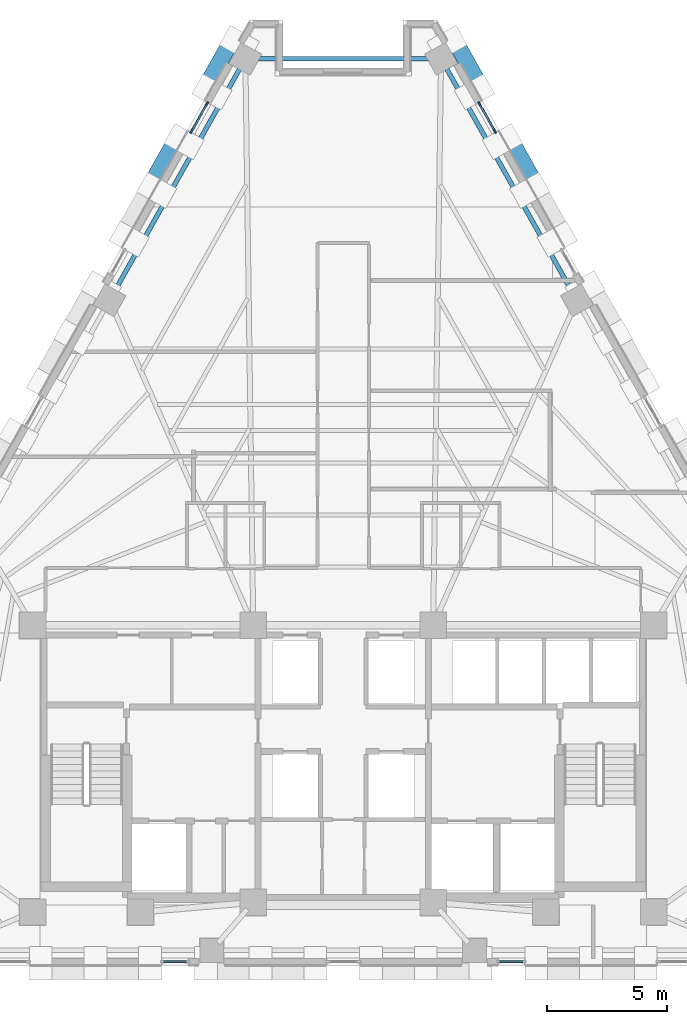
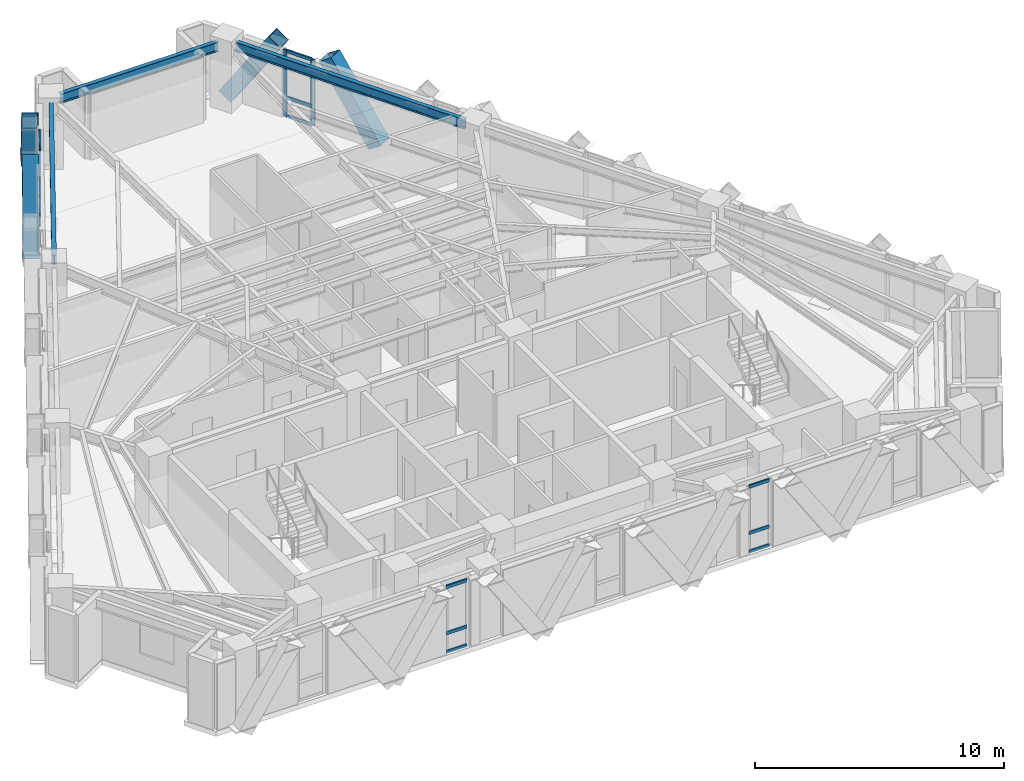
# One storey, part 5 of 14: 20 members, 3 beams, 4 elements without a shape of their own.
"""IFC4 building model written with IfcOpenShell, lengths in metres."""

from ifc_helpers import new_model, si_unit, direction, frame, origin, origin_2d, place, context, subcontext, project, spatial, rectangle, hollow_rectangle, i_section, extrude, material, material_profile, profile_set, type_object, element, aggregate, save


model = new_model("IFC4")

# Units and contexts
model_context = context("Model", 3, precision=1e-05, world=origin(), true_north=direction((0.0, 1.0)))
body_context = subcontext(model_context, "Body", "Model", "MODEL_VIEW")
ifc_project = project(units=[si_unit("LENGTHUNIT", "METRE"), si_unit("AREAUNIT", "SQUARE_METRE"), si_unit("VOLUMEUNIT", "CUBIC_METRE"), si_unit("PLANEANGLEUNIT", "RADIAN"), si_unit("MASSUNIT", "GRAM", prefix="KILO")], contexts=[model_context])

# Site, building, storey
site_placement = place(None, origin())
site = spatial("IfcSite", under=ifc_project, at=site_placement, CompositionType="ELEMENT")
building_placement = place(site_placement, origin())
building = spatial("IfcBuilding", under=site, at=building_placement, Name="Quenlor Broadcast Tower", CompositionType="ELEMENT")
storey_placement = place(building_placement, frame((0.0, 0.0, 140.5)))
storey = spatial("IfcBuildingStorey", under=building, at=storey_placement, Name="L38", CompositionType="ELEMENT", Elevation=140.5)

# Curtain wall, members
ifc_material_1 = material(Name="Architectural Terracotta and Low-E Glazing", Category="masonry")
curtain_wall_type = type_object("IfcCurtainWallType", Name="Unitised Terracotta Curtain Wall System Z3", PredefinedType="NOTDEFINED", material=ifc_material_1)
curtain_wall_1_placement = place(storey_placement, origin())
curtain_wall_1 = element("IfcCurtainWall", 1, at=curtain_wall_1_placement, inside=storey, type_object=curtain_wall_type, Name="L38 Curtain Wall CW3 (L38-NEA-G1)", PredefinedType="NOTDEFINED")
ifc_material_2 = material(Name="Aluminium 6063-T6", Category="aluminium")
ifc_material_profile_1 = material_profile(ifc_material_2, rectangle(XDim=0.070068359375, YDim=0.18994140625, at=origin_2d()))
ifc_profile_set_1 = profile_set([ifc_material_profile_1], Name="Aluminium 6063-T6 MULL70x190")
member_type_1 = type_object("IfcMemberType", Name="CW3 Aluminium Mullion MULL_CW3", PredefinedType="MULLION", material=ifc_profile_set_1)
member_1_placement = place(storey_placement, frame((5.677978515625, 16.94921875, 0.0), z_axis=(0.0, 0.0, 1.0), x_axis=(0.871592831439, 0.490230492916, 0.0)))
member_1 = element("IfcMember", 2, at=member_1_placement, type_object=member_type_1, Name="CW3 mullion 1", PredefinedType="MULLION", context=body_context, shape_type="SweptSolid", body=[
    extrude(rectangle(XDim=0.070068359375, YDim=0.18994140625, at=origin_2d()), origin(), (0.0, 0.0, 1.0), 3.25),
])
member_2_placement = place(storey_placement, frame((6.324951171875, 15.798828125, 0.0), z_axis=(0.0, 0.0, 1.0), x_axis=(0.871592831439, 0.490230492916, 0.0)))
member_2 = element("IfcMember", 3, at=member_2_placement, type_object=member_type_1, Name="CW3 mullion 2", PredefinedType="MULLION", context=body_context, shape_type="SweptSolid", body=[
    extrude(rectangle(XDim=0.070068359375, YDim=0.18994140625, at=origin_2d()), origin(), (0.0, 0.0, 1.0), 3.25),
])

curtain_wall_2_placement = place(storey_placement, origin())
curtain_wall_2 = element("IfcCurtainWall", 4, at=curtain_wall_2_placement, inside=storey, type_object=curtain_wall_type, Name="L38 Curtain Wall CW3 (L38-NWC-G2)", PredefinedType="NOTDEFINED")
member_3_placement = place(storey_placement, frame((-6.324951171875, 15.798828125, 0.0), z_axis=(0.0, 0.0, 1.0), x_axis=(-0.871592831439, 0.490230492916, 0.0)))
member_3 = element("IfcMember", 5, at=member_3_placement, type_object=member_type_1, Name="CW3 mullion 1", PredefinedType="MULLION", context=body_context, shape_type="SweptSolid", body=[
    extrude(rectangle(XDim=0.070068359375, YDim=0.18994140625, at=origin_2d()), origin(), (0.0, 0.0, 1.0), 3.25),
])
member_4_placement = place(storey_placement, frame((-5.677978515625, 16.94921875, 0.0), z_axis=(0.0, 0.0, 1.0), x_axis=(-0.871592831439, 0.490230492916, 0.0)))
member_4 = element("IfcMember", 6, at=member_4_placement, type_object=member_type_1, Name="CW3 mullion 2", PredefinedType="MULLION", context=body_context, shape_type="SweptSolid", body=[
    extrude(rectangle(XDim=0.070068359375, YDim=0.18994140625, at=origin_2d()), origin(), (0.0, 0.0, 1.0), 3.25),
])

curtain_wall_3_placement = place(storey_placement, origin())
curtain_wall_3 = element("IfcCurtainWall", 7, at=curtain_wall_3_placement, inside=storey, type_object=curtain_wall_type, Name="L38 Curtain Wall CW3 (L38-SA-G2)", PredefinedType="NOTDEFINED")
ifc_material_3 = material(Name="Aluminium 6063-T6", Category="aluminium")
ifc_material_profile_2 = material_profile(ifc_material_3, rectangle(XDim=0.070068359375, YDim=0.155029296875, at=origin_2d()))
ifc_profile_set_2 = profile_set([ifc_material_profile_2], Name="Aluminium 6063-T6 TRAN70x155")
member_type_2 = type_object("IfcMemberType", Name="CW3 Aluminium Transom TRAN_CW3", PredefinedType="USERDEFINED", material=ifc_profile_set_2)
member_5_placement = place(storey_placement, frame((7.487060546875, -18.824951171875, 0.034912109375), z_axis=(-1.0, 0.0, 0.0), x_axis=(0.0, -1.0, 0.0)))
member_5 = element("IfcMember", 8, at=member_5_placement, type_object=member_type_2, Name="CW3 transom 1.1", ObjectType="TRANSOM", PredefinedType="USERDEFINED", context=body_context, shape_type="SweptSolid", body=[
    extrude(rectangle(XDim=0.070068359375, YDim=0.155029296875, at=origin_2d()), origin(), (0.0, 0.0, 1.0), 0.951171875),
])
member_6_placement = place(storey_placement, frame((7.487060546875, -18.824951171875, 0.949951171875), z_axis=(-1.0, 0.0, 0.0), x_axis=(0.0, -1.0, 0.0)))
member_6 = element("IfcMember", 9, at=member_6_placement, type_object=member_type_2, Name="CW3 transom 1.2", ObjectType="TRANSOM", PredefinedType="USERDEFINED", context=body_context, shape_type="SweptSolid", body=[
    extrude(rectangle(XDim=0.070068359375, YDim=0.155029296875, at=origin_2d()), origin(), (0.0, 0.0, 1.0), 0.951171875),
])
member_7_placement = place(storey_placement, frame((7.487060546875, -18.824951171875, 3.215087890625), z_axis=(-1.0, 0.0, 0.0), x_axis=(0.0, -1.0, 0.0)))
member_7 = element("IfcMember", 10, at=member_7_placement, type_object=member_type_2, Name="CW3 transom 1.3", ObjectType="TRANSOM", PredefinedType="USERDEFINED", context=body_context, shape_type="SweptSolid", body=[
    extrude(rectangle(XDim=0.070068359375, YDim=0.155029296875, at=origin_2d()), origin(), (0.0, 0.0, 1.0), 0.951171875),
])
aggregate(curtain_wall_3, [member_5, member_6, member_7])

curtain_wall_4_placement = place(storey_placement, origin())
curtain_wall_4 = element("IfcCurtainWall", 11, at=curtain_wall_4_placement, inside=storey, type_object=curtain_wall_type, Name="L38 Curtain Wall CW3 (L38-SC-G1)", PredefinedType="NOTDEFINED")
member_8_placement = place(storey_placement, frame((-6.535888671875, -18.824951171875, 0.034912109375), z_axis=(-1.0, 0.0, 0.0), x_axis=(0.0, -1.0, 0.0)))
member_8 = element("IfcMember", 12, at=member_8_placement, type_object=member_type_2, Name="CW3 transom 1.1", ObjectType="TRANSOM", PredefinedType="USERDEFINED", context=body_context, shape_type="SweptSolid", body=[
    extrude(rectangle(XDim=0.070068359375, YDim=0.155029296875, at=origin_2d()), origin(), (0.0, 0.0, 1.0), 0.951171875),
])
member_9_placement = place(storey_placement, frame((-6.535888671875, -18.824951171875, 0.949951171875), z_axis=(-1.0, 0.0, 0.0), x_axis=(0.0, -1.0, 0.0)))
member_9 = element("IfcMember", 13, at=member_9_placement, type_object=member_type_2, Name="CW3 transom 1.2", ObjectType="TRANSOM", PredefinedType="USERDEFINED", context=body_context, shape_type="SweptSolid", body=[
    extrude(rectangle(XDim=0.070068359375, YDim=0.155029296875, at=origin_2d()), origin(), (0.0, 0.0, 1.0), 0.951171875),
])
member_10_placement = place(storey_placement, frame((-6.535888671875, -18.824951171875, 3.215087890625), z_axis=(-1.0, 0.0, 0.0), x_axis=(0.0, -1.0, 0.0)))
member_10 = element("IfcMember", 14, at=member_10_placement, type_object=member_type_2, Name="CW3 transom 1.3", ObjectType="TRANSOM", PredefinedType="USERDEFINED", context=body_context, shape_type="SweptSolid", body=[
    extrude(rectangle(XDim=0.070068359375, YDim=0.155029296875, at=origin_2d()), origin(), (0.0, 0.0, 1.0), 0.951171875),
])
aggregate(curtain_wall_4, [member_8, member_9, member_10])

# Member
member_11_placement = place(storey_placement, frame((5.695068359375, 16.918701171875, 0.034912109375), z_axis=(0.490131387775, -0.871648566062, 0.0), x_axis=(0.871648566062, 0.490131387775, 0.0)))
member_11 = element("IfcMember", 15, at=member_11_placement, type_object=member_type_2, Name="CW3 transom 1.1", ObjectType="TRANSOM", PredefinedType="USERDEFINED", context=body_context, shape_type="SweptSolid", body=[
    extrude(rectangle(XDim=0.070068359375, YDim=0.155029296875, at=origin_2d()), origin(), (0.0, 0.0, 1.0), 1.249755859375),
])

member_12_placement = place(storey_placement, frame((5.695068359375, 16.918701171875, 0.949951171875), z_axis=(0.490131387775, -0.871648566062, 0.0), x_axis=(0.871648566062, 0.490131387775, 0.0)))
member_12 = element("IfcMember", 16, at=member_12_placement, type_object=member_type_2, Name="CW3 transom 1.2", ObjectType="TRANSOM", PredefinedType="USERDEFINED", context=body_context, shape_type="SweptSolid", body=[
    extrude(rectangle(XDim=0.070068359375, YDim=0.155029296875, at=origin_2d()), origin(), (0.0, 0.0, 1.0), 1.249755859375),
])

member_13_placement = place(storey_placement, frame((5.695068359375, 16.918701171875, 3.215087890625), z_axis=(0.490131387775, -0.871648566062, 0.0), x_axis=(0.871648566062, 0.490131387775, 0.0)))
member_13 = element("IfcMember", 17, at=member_13_placement, type_object=member_type_2, Name="CW3 transom 1.3", ObjectType="TRANSOM", PredefinedType="USERDEFINED", context=body_context, shape_type="SweptSolid", body=[
    extrude(rectangle(XDim=0.070068359375, YDim=0.155029296875, at=origin_2d()), origin(), (0.0, 0.0, 1.0), 1.249755859375),
])

aggregate(curtain_wall_1, [member_1, member_2, member_11, member_12, member_13])

member_14_placement = place(storey_placement, frame((-6.3076171875, 15.829345703125, 0.034912109375), z_axis=(0.490131387775, 0.871648566062, 0.0), x_axis=(-0.871648566062, 0.490131387775, 0.0)))
member_14 = element("IfcMember", 18, at=member_14_placement, type_object=member_type_2, Name="CW3 transom 1.1", ObjectType="TRANSOM", PredefinedType="USERDEFINED", context=body_context, shape_type="SweptSolid", body=[
    extrude(rectangle(XDim=0.070068359375, YDim=0.155029296875, at=origin_2d()), origin(), (0.0, 0.0, 1.0), 1.249755859375),
])

member_15_placement = place(storey_placement, frame((-6.3076171875, 15.829345703125, 0.949951171875), z_axis=(0.490131387775, 0.871648566062, 0.0), x_axis=(-0.871648566062, 0.490131387775, 0.0)))
member_15 = element("IfcMember", 19, at=member_15_placement, type_object=member_type_2, Name="CW3 transom 1.2", ObjectType="TRANSOM", PredefinedType="USERDEFINED", context=body_context, shape_type="SweptSolid", body=[
    extrude(rectangle(XDim=0.070068359375, YDim=0.155029296875, at=origin_2d()), origin(), (0.0, 0.0, 1.0), 1.249755859375),
])

member_16_placement = place(storey_placement, frame((-6.3076171875, 15.829345703125, 3.215087890625), z_axis=(0.490131387775, 0.871648566062, 0.0), x_axis=(-0.871648566062, 0.490131387775, 0.0)))
member_16 = element("IfcMember", 20, at=member_16_placement, type_object=member_type_2, Name="CW3 transom 1.3", ObjectType="TRANSOM", PredefinedType="USERDEFINED", context=body_context, shape_type="SweptSolid", body=[
    extrude(rectangle(XDim=0.070068359375, YDim=0.155029296875, at=origin_2d()), origin(), (0.0, 0.0, 1.0), 1.249755859375),
])

aggregate(curtain_wall_2, [member_3, member_4, member_14, member_15, member_16])

# Members
ifc_material_4 = material(Name="Steel S355", Category="steel")
ifc_material_profile_3 = material_profile(ifc_material_4, hollow_rectangle(XDim=0.679931640625, YDim=0.679931640625, WallThickness=0.02490234375, at=origin_2d()))
ifc_profile_set_3 = profile_set([ifc_material_profile_3], Name="Steel S355 RHS680x680x25")
member_type_3 = type_object("IfcMemberType", Name="Perimeter Diagonal Lattice Brace Z3-Z4 Steel S355 RHS680x25", PredefinedType="BRACE", material=ifc_profile_set_3)
for number, where, z_axis, x_axis, name in (
    (21, (4.62841796875, 19.620361328125, -0.1201171875), (0.2705491942, -0.481008661973, 0.833926735766), (0.871589611547, 0.490236217596, 0.0), "L38 Perimeter Diamond Lattice NE-C1S"),
    (22, (8.062744140625, 13.514892578125, -0.1201171875), (-0.2705491942, 0.481008661973, 0.833926735766), (-0.871589611547, -0.490236217596, 0.0), "L38 Perimeter Diamond Lattice NE-C1B"),
    (23, (-8.062744140625, 13.514892578125, -0.1201171875), (0.2705491942, 0.481008661973, 0.833926735766), (-0.871589611547, 0.490236217596, 0.0), "L38 Perimeter Diamond Lattice NW-C5S"),
    (24, (-4.62841796875, 19.620361328125, -0.1201171875), (-0.2705491942, -0.481008661973, 0.833926735766), (0.871589611547, -0.490236217596, 0.0), "L38 Perimeter Diamond Lattice NW-C5B"),
):
    element("IfcMember", number, at=place(storey_placement, frame(where, z_axis=z_axis, x_axis=x_axis)), inside=storey, type_object=member_type_3, Name=name, PredefinedType="BRACE", context=body_context, shape_type="SweptSolid", body=[
        extrude(hollow_rectangle(XDim=0.679931640625, YDim=0.679931640625, WallThickness=0.02490234375, at=origin_2d()), origin(), (0.0, 0.0, 1.0), 4.197021484375),
    ])

# Beams
ifc_material_5 = material(Name="Steel S355", Category="steel")
ifc_material_profile_4 = material_profile(ifc_material_5, i_section(OverallWidth=0.19091796875, OverallDepth=0.46044921875, WebThickness=0.010009765625, FlangeThickness=0.01611328125, FilletRadius=0.011474609375, at=origin_2d()))
ifc_profile_set_4 = profile_set([ifc_material_profile_4], Name="Steel S355 460UB82.1")
beam_type = type_object("IfcBeamType", Name="Perimeter Spandrel Beam Z3 Steel S355 460UB82.1", PredefinedType="SPANDREL", material=ifc_profile_set_4)
beam_1_placement = place(storey_placement, frame((9.5419921875, 9.110595703125, 3.019775390625), z_axis=(-0.490257999604, 0.871577359633, 0.0), x_axis=(-0.871577359633, -0.490257999604, 0.0)))
element("IfcBeam", 25, at=beam_1_placement, inside=storey, type_object=beam_type, Name="L38 Spandrel Beam NE3-NE4", PredefinedType="SPANDREL", context=body_context, shape_type="SweptSolid", body=[
    extrude(i_section(OverallWidth=0.19091796875, OverallDepth=0.46044921875, WebThickness=0.010009765625, FlangeThickness=0.01611328125, FilletRadius=0.011474609375, at=origin_2d()), origin(), (0.0, 0.0, 1.0), 10.732666015625),
])
beam_2_placement = place(storey_placement, frame((3.669189453125, 18.822021484375, 3.019775390625), z_axis=(-1.0, 0.0, 0.0), x_axis=(0.0, -1.0, 0.0)))
element("IfcBeam", 26, at=beam_2_placement, inside=storey, type_object=beam_type, Name="L38 Spandrel Beam NE4-NW1", PredefinedType="SPANDREL", context=body_context, shape_type="SweptSolid", body=[
    extrude(i_section(OverallWidth=0.19091796875, OverallDepth=0.46044921875, WebThickness=0.010009765625, FlangeThickness=0.01611328125, FilletRadius=0.011474609375, at=origin_2d()), origin(), (0.0, 0.0, 1.0), 7.33837890625),
])
beam_3_placement = place(storey_placement, frame((-4.2802734375, 18.46484375, 3.019775390625), z_axis=(-0.490257999604, -0.871577359633, 0.0), x_axis=(0.871577359633, -0.490257999604, 0.0)))
element("IfcBeam", 27, at=beam_3_placement, inside=storey, type_object=beam_type, Name="L38 Spandrel Beam NW1-NW2", PredefinedType="SPANDREL", context=body_context, shape_type="SweptSolid", body=[
    extrude(i_section(OverallWidth=0.19091796875, OverallDepth=0.46044921875, WebThickness=0.010009765625, FlangeThickness=0.01611328125, FilletRadius=0.011474609375, at=origin_2d()), origin(), (0.0, 0.0, 1.0), 10.732666015625),
])

save(model, "model.ifc")
